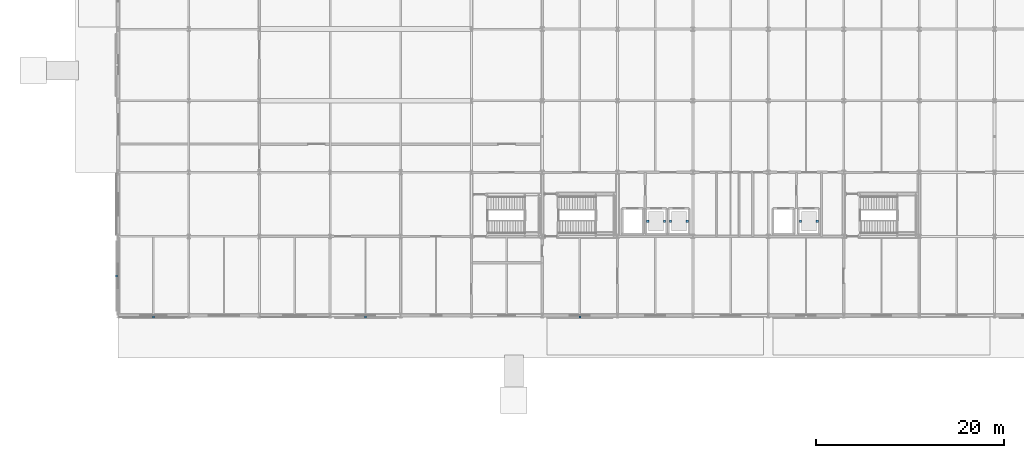
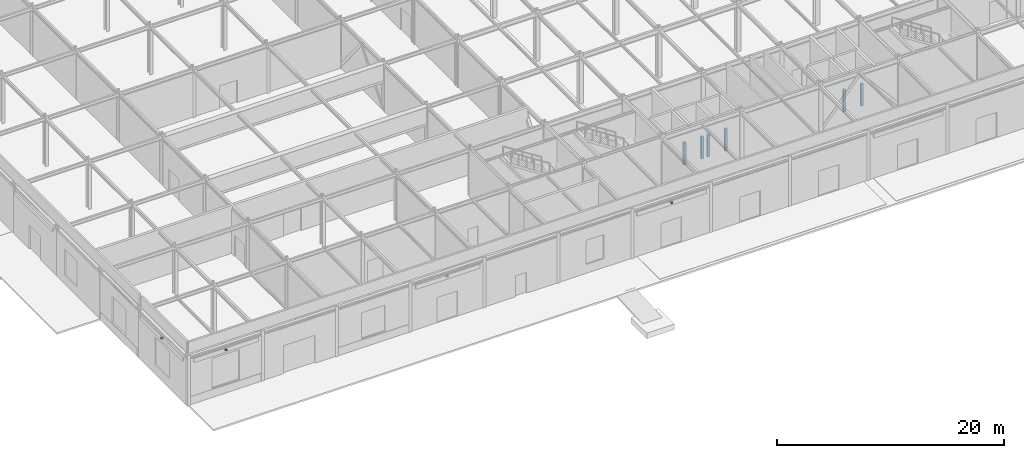
# One storey, part 75 of 89: 10 discrete accessories.
"""IFC4 building model written with IfcOpenShell, lengths in metres."""

from ifc_helpers import new_model, si_unit, direction, frame, origin, origin_2d, place, context, subcontext, project, spatial, rectangle, extrude, material, type_object, element, save


model = new_model("IFC4")

# Units and contexts
model_context = context("Model", 3, precision=1e-05, world=origin(), true_north=direction((0.0, 1.0)))
body_context = subcontext(model_context, "Body", "Model", "MODEL_VIEW")
ifc_project = project(units=[si_unit("LENGTHUNIT", "METRE"), si_unit("AREAUNIT", "SQUARE_METRE"), si_unit("VOLUMEUNIT", "CUBIC_METRE"), si_unit("PLANEANGLEUNIT", "RADIAN"), si_unit("MASSUNIT", "GRAM", prefix="KILO")], contexts=[model_context])

# Site, building, storey
site_placement = place(None, origin())
site = spatial("IfcSite", under=ifc_project, at=site_placement, CompositionType="ELEMENT")
building_placement = place(site_placement, origin())
building = spatial("IfcBuilding", under=site, at=building_placement, Name="Shalkamar Park Central Library", CompositionType="ELEMENT")
storey_placement = place(building_placement, origin())
storey = spatial("IfcBuildingStorey", under=building, at=storey_placement, Name="L01", CompositionType="ELEMENT", Elevation=0.0)

# Discrete accessories
ifc_material = material(Name="Steel S355", Category="steel")
discrete_accessory_type_1 = type_object("IfcDiscreteAccessoryType", Name="Lift Guide Rail Bracket", PredefinedType="BRACKET", material=ifc_material)
for number, where, z_axis, x_axis, name in (
    (1, (176.2099609375, 250.0, 0.02001953125), (0.0, 0.0, 1.0), (1.0, 0.0, 0.0), "Lift LT-01 Guide Rail Assembly (W)"),
    (2, (177.989990234375, 250.0, 0.02001953125), (0.0, 0.0, 1.0), (1.0, 0.0, 0.0), "Lift LT-01 Guide Rail Assembly (E)"),
    (3, (178.610107421875, 250.0, 0.02001953125), (0.0, 0.0, 1.0), (1.0, 0.0, 0.0), "Lift LT-02 Guide Rail Assembly (W)"),
    (4, (180.389892578125, 250.0, 0.02001953125), (0.0, 0.0, 1.0), (1.0, 0.0, 0.0), "Lift LT-02 Guide Rail Assembly (E)"),
    (5, (192.409912109375, 250.0, 0.02001953125), (0.0, 0.0, 1.0), (1.0, 0.0, 0.0), "Lift LT-03 Guide Rail Assembly (W)"),
    (6, (194.18994140625, 250.0, 0.02001953125), (0.0, 0.0, 1.0), (1.0, 0.0, 0.0), "Lift LT-03 Guide Rail Assembly (E)"),
):
    element("IfcDiscreteAccessory", number, at=place(storey_placement, frame(where, z_axis=z_axis, x_axis=x_axis)), inside=storey, type_object=discrete_accessory_type_1, Name=name, PredefinedType="BRACKET", context=body_context, shape_type="SweptSolid", body=[
        extrude(rectangle(XDim=0.22998046875, YDim=0.239990234375, at=origin_2d()), origin(), (0.0, 0.0, 1.0), 2.360107421875),
    ])
discrete_accessory_type_2 = type_object("IfcDiscreteAccessoryType", Name="Stainless Facade Bracket", PredefinedType="BRACKET", material=ifc_material)
for number, where, z_axis, x_axis, name in (
    (7, (123.75, 239.840087890625, 4.5732421875), (0.0, 0.0, 1.0), (1.0, 0.0, 0.0), "Frieze Fixing Bracket L01-001"),
    (8, (146.25, 239.840087890625, 4.5732421875), (0.0, 0.0, 1.0), (1.0, 0.0, 0.0), "Frieze Fixing Bracket L01-002"),
    (9, (169.0, 239.840087890625, 4.533203125), (0.0, 0.0, 1.0), (1.0, 0.0, 0.0), "Frieze Fixing Bracket L01-003"),
    (10, (119.840087890625, 244.199951171875, 4.533203125), (0.0, 0.0, 1.0), (1.0, 0.0, 0.0), "Frieze Fixing Bracket L01-017"),
):
    element("IfcDiscreteAccessory", number, at=place(storey_placement, frame(where, z_axis=z_axis, x_axis=x_axis)), inside=storey, type_object=discrete_accessory_type_2, Name=name, PredefinedType="BRACKET", context=body_context, shape_type="SweptSolid", body=[
        extrude(rectangle(XDim=0.219970703125, YDim=0.219970703125, at=origin_2d()), origin(), (0.0, 0.0, 1.0), 0.159912109375),
    ])

save(model, "model.ifc")
